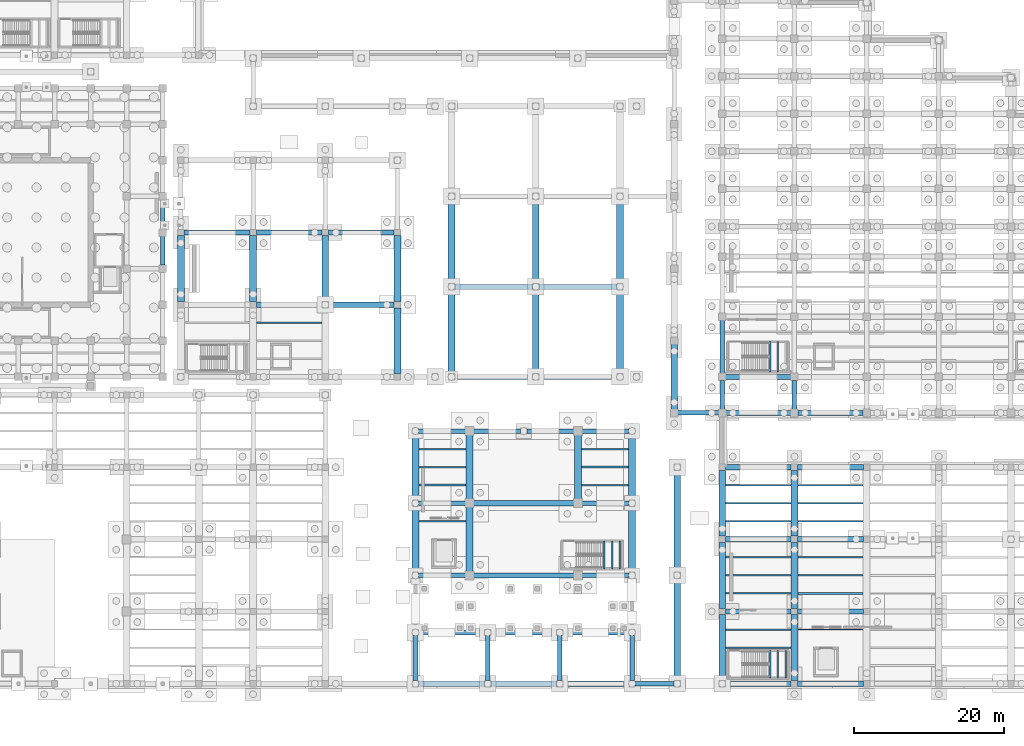
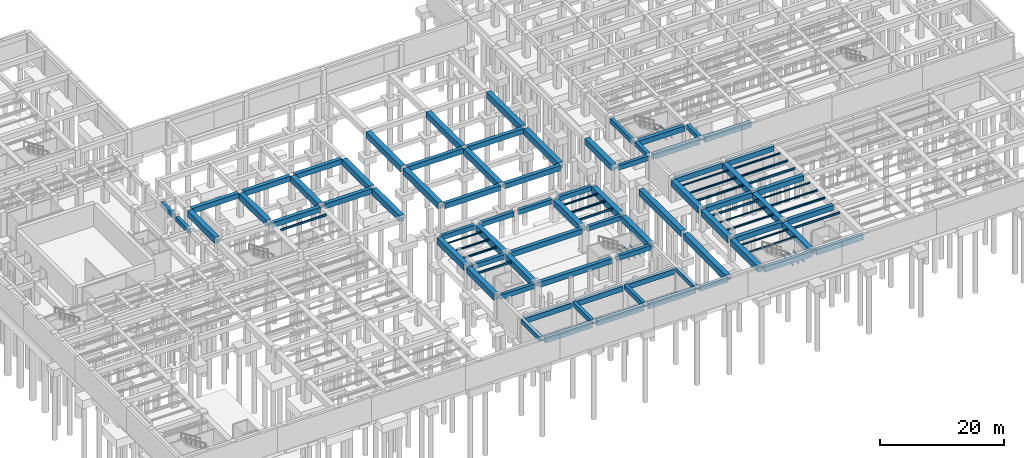
# One storey, part 26 of 56: 105 beams.
"""IFC4 building model written with IfcOpenShell, lengths in metres."""

from ifc_helpers import new_model, si_unit, direction, frame, origin, origin_2d, place, context, subcontext, project, spatial, rectangle, i_section, extrude, material, material_profile, profile_set, type_object, element, save


model = new_model("IFC4")

# Units and contexts
model_context = context("Model", 3, precision=1e-05, world=origin(), true_north=direction((0.0, 1.0)))
body_context = subcontext(model_context, "Body", "Model", "MODEL_VIEW")
ifc_project = project(units=[si_unit("LENGTHUNIT", "METRE"), si_unit("AREAUNIT", "SQUARE_METRE"), si_unit("VOLUMEUNIT", "CUBIC_METRE"), si_unit("PLANEANGLEUNIT", "RADIAN"), si_unit("MASSUNIT", "GRAM", prefix="KILO")], contexts=[model_context])

# Site, building, storey
site_placement = place(None, origin())
site = spatial("IfcSite", under=ifc_project, at=site_placement, CompositionType="ELEMENT")
building_placement = place(site_placement, origin())
building = spatial("IfcBuilding", under=site, at=building_placement, Name="Mavantir Sound Aquarium", CompositionType="ELEMENT")
storey_placement = place(building_placement, frame((0.0, 0.0, -9.60009765625)))
storey = spatial("IfcBuildingStorey", under=building, at=storey_placement, Name="B2", CompositionType="ELEMENT", Elevation=-9.60009765625)

# Beams
ifc_material_1 = material(Name="Concrete C40/50", Category="concrete")
ifc_material_profile_1 = material_profile(ifc_material_1, rectangle(XDim=0.60009765625, YDim=0.89990234375, at=origin_2d()), Name="RC 600X900")
ifc_profile_set_1 = profile_set([ifc_material_profile_1], Name="Concrete C40/50")
beam_type_1 = type_object("IfcBeamType", Name="BM-RC600X900-E", PredefinedType="BEAM", material=ifc_profile_set_1)
for number, where, z_axis, x_axis, name in (
    (1, (33.60009765625, 55.64990234375, 3.946044921875), (0.0, 1.0, 0.0), (-1.0, 0.0, 0.0), "B2 primary girder RCB-09 97"),
    (2, (33.60009765625, 60.449951171875, 3.946044921875), (0.0, 1.0, 0.0), (-1.0, 0.0, 0.0), "B2 primary girder RCB-09 98"),
):
    element("IfcBeam", number, at=place(storey_placement, frame(where, z_axis=z_axis, x_axis=x_axis)), inside=storey, type_object=beam_type_1, Name=name, PredefinedType="BEAM", context=body_context, shape_type="SweptSolid", body=[
        extrude(rectangle(XDim=0.60009765625, YDim=0.89990234375, at=origin_2d()), origin(), (0.0, 0.0, 1.0), 3.900146484375),
    ])
beam_1_placement = place(storey_placement, frame((102.050048828125, 36.0, 4.34619140625), z_axis=(1.0, 0.0, 0.0), x_axis=(0.0, 1.0, 0.0)))
element("IfcBeam", 3, at=beam_1_placement, inside=storey, type_object=beam_type_1, Name="B2 primary beam RCB-09 177", PredefinedType="BEAM", context=body_context, shape_type="SweptSolid", body=[
    extrude(rectangle(XDim=0.60009765625, YDim=0.89990234375, at=origin_2d()), origin(), (0.0, 0.0, 1.0), 5.5),
])
for number, where, z_axis, x_axis, name in (
    (4, (67.625, 14.39990234375, 4.046142578125), (1.0, 0.0, 0.0), (0.0, 1.0, 0.0), "B2 primary beam RCB-09 403"),
    (5, (89.25, 14.39990234375, 4.046142578125), (1.0, 0.0, 0.0), (0.0, 1.0, 0.0), "B2 primary beam RCB-09 405"),
    (6, (67.625, 33.60009765625, 4.046142578125), (1.0, 0.0, 0.0), (0.0, 1.0, 0.0), "B2 primary beam RCB-09 409"),
    (7, (74.85009765625, 33.60009765625, 4.046142578125), (1.0, 0.0, 0.0), (0.0, 1.0, 0.0), "B2 primary beam RCB-09 410"),
):
    element("IfcBeam", number, at=place(storey_placement, frame(where, z_axis=z_axis, x_axis=x_axis)), inside=storey, type_object=beam_type_1, Name=name, PredefinedType="BEAM", context=body_context, shape_type="SweptSolid", body=[
        extrude(rectangle(XDim=0.60009765625, YDim=0.89990234375, at=origin_2d()), origin(), (0.0, 0.0, 1.0), 6.324951171875),
    ])
beam_2_placement = place(storey_placement, frame((82.02490234375, 33.60009765625, 4.046142578125), z_axis=(1.0, 0.0, 0.0), x_axis=(0.0, 1.0, 0.0)))
element("IfcBeam", 8, at=beam_2_placement, inside=storey, type_object=beam_type_1, Name="B2 primary beam RCB-09 411", PredefinedType="BEAM", context=body_context, shape_type="SweptSolid", body=[
    extrude(rectangle(XDim=0.60009765625, YDim=0.89990234375, at=origin_2d()), origin(), (0.0, 0.0, 1.0), 6.3251953125),
])
beam_3_placement = place(storey_placement, frame((89.25, 33.60009765625, 4.046142578125), z_axis=(1.0, 0.0, 0.0), x_axis=(0.0, 1.0, 0.0)))
element("IfcBeam", 9, at=beam_3_placement, inside=storey, type_object=beam_type_1, Name="B2 primary beam RCB-09 412", PredefinedType="BEAM", context=body_context, shape_type="SweptSolid", body=[
    extrude(rectangle(XDim=0.60009765625, YDim=0.89990234375, at=origin_2d()), origin(), (0.0, 0.0, 1.0), 6.324951171875),
])
ifc_material_profile_2 = material_profile(ifc_material_1, rectangle(XDim=0.60009765625, YDim=0.89990234375, at=origin_2d()), Name="RC 600X900")
ifc_profile_set_2 = profile_set([ifc_material_profile_2], Name="Concrete C40/50")
beam_type_2 = type_object("IfcBeamType", Name="BM-RC600X900-I", PredefinedType="BEAM", material=ifc_profile_set_2)
beam_4_placement = place(storey_placement, frame((96.425048828125, 0.0, 4.34619140625), z_axis=(1.0, 0.0, 0.0), x_axis=(0.0, 1.0, 0.0)))
element("IfcBeam", 10, at=beam_4_placement, inside=storey, type_object=beam_type_2, Name="B2 primary beam RCB-09 4", PredefinedType="BEAM", context=body_context, shape_type="SweptSolid", body=[
    extrude(rectangle(XDim=0.60009765625, YDim=0.89990234375, at=origin_2d()), origin(), (0.0, 0.0, 1.0), 5.14990234375),
])
for number, where, z_axis, x_axis, name in (
    (11, (67.199951171875, 0.425048828125, 4.34619140625), (0.0, 1.0, 0.0), (-1.0, 0.0, 0.0), "B2 primary girder RCB-09 25"),
    (12, (76.800048828125, 0.425048828125, 4.34619140625), (0.0, 1.0, 0.0), (-1.0, 0.0, 0.0), "B2 primary girder RCB-09 29"),
    (13, (86.39990234375, 0.425048828125, 4.34619140625), (0.0, 1.0, 0.0), (-1.0, 0.0, 0.0), "B2 primary girder RCB-09 33"),
    (14, (96.0, 0.425048828125, 4.34619140625), (0.0, 1.0, 0.0), (-1.0, 0.0, 0.0), "B2 primary girder RCB-09 37"),
):
    element("IfcBeam", number, at=place(storey_placement, frame(where, z_axis=z_axis, x_axis=x_axis)), inside=storey, type_object=beam_type_2, Name=name, PredefinedType="BEAM", context=body_context, shape_type="SweptSolid", body=[
        extrude(rectangle(XDim=0.60009765625, YDim=0.89990234375, at=origin_2d()), origin(), (0.0, 0.0, 1.0), 5.949951171875),
    ])
beam_5_placement = place(storey_placement, frame((108.0, 36.449951171875, 4.34619140625), z_axis=(0.0, 1.0, 0.0), x_axis=(-1.0, 0.0, 0.0)))
element("IfcBeam", 15, at=beam_5_placement, inside=storey, type_object=beam_type_2, Name="B2 primary girder RCB-09 244", PredefinedType="BEAM", context=body_context, shape_type="SweptSolid", body=[
    extrude(rectangle(XDim=0.60009765625, YDim=0.89990234375, at=origin_2d()), origin(), (0.0, 0.0, 1.0), 3.900146484375),
])
beam_6_placement = place(storey_placement, frame((108.0, 41.25, 4.046142578125), z_axis=(0.0, 1.0, 0.0), x_axis=(-1.0, 0.0, 0.0)))
element("IfcBeam", 16, at=beam_6_placement, inside=storey, type_object=beam_type_2, Name="B2 primary girder RCB-09 245", PredefinedType="BEAM", context=body_context, shape_type="SweptSolid", body=[
    extrude(rectangle(XDim=0.60009765625, YDim=0.89990234375, at=origin_2d()), origin(), (0.0, 0.0, 1.0), 7.10009765625),
])
beam_7_placement = place(storey_placement, frame((117.60009765625, 36.449951171875, 4.34619140625), z_axis=(0.0, 1.0, 0.0), x_axis=(-1.0, 0.0, 0.0)))
element("IfcBeam", 17, at=beam_7_placement, inside=storey, type_object=beam_type_2, Name="B2 primary girder RCB-09 255", PredefinedType="BEAM", context=body_context, shape_type="SweptSolid", body=[
    extrude(rectangle(XDim=0.60009765625, YDim=0.89990234375, at=origin_2d()), origin(), (0.0, 0.0, 1.0), 3.900146484375),
])
for number, where, z_axis, x_axis, name in (
    (18, (67.625, 24.0, 4.046142578125), (1.0, 0.0, 0.0), (0.0, 1.0, 0.0), "B2 primary beam RCB-09 406"),
    (19, (89.25, 24.0, 4.046142578125), (1.0, 0.0, 0.0), (0.0, 1.0, 0.0), "B2 primary beam RCB-09 408"),
):
    element("IfcBeam", number, at=place(storey_placement, frame(where, z_axis=z_axis, x_axis=x_axis)), inside=storey, type_object=beam_type_2, Name=name, PredefinedType="BEAM", context=body_context, shape_type="SweptSolid", body=[
        extrude(rectangle(XDim=0.60009765625, YDim=0.89990234375, at=origin_2d()), origin(), (0.0, 0.0, 1.0), 6.324951171875),
    ])
ifc_material_profile_3 = material_profile(ifc_material_1, rectangle(XDim=0.699951171875, YDim=1.0, at=origin_2d()), Name="RC 700X1000")
ifc_profile_set_3 = profile_set([ifc_material_profile_3], Name="Concrete C40/50")
beam_type_3 = type_object("IfcBeamType", Name="BM-RC700X1000-E", PredefinedType="BEAM", material=ifc_profile_set_3)
for number, where, z_axis, x_axis, name in (
    (20, (108.449951171875, 36.0, 4.296142578125), (1.0, 0.0, 0.0), (0.0, 1.0, 0.0), "B2 primary beam RCB-10 178"),
    (21, (118.050048828125, 36.0, 4.296142578125), (1.0, 0.0, 0.0), (0.0, 1.0, 0.0), "B2 primary beam RCB-10 179"),
):
    element("IfcBeam", number, at=place(storey_placement, frame(where, z_axis=z_axis, x_axis=x_axis)), inside=storey, type_object=beam_type_3, Name=name, PredefinedType="BEAM", context=body_context, shape_type="SweptSolid", body=[
        extrude(rectangle(XDim=0.699951171875, YDim=1.0, at=origin_2d()), origin(), (0.0, 0.0, 1.0), 8.699951171875),
    ])
for number, where, z_axis, x_axis, name in (
    (22, (108.425048828125, 0.0, 3.946044921875), (1.0, 0.0, 0.0), (0.0, 1.0, 0.0), "B2 primary beam RCB-10 351"),
    (23, (118.02490234375, 0.0, 3.946044921875), (1.0, 0.0, 0.0), (0.0, 1.0, 0.0), "B2 primary beam RCB-10 352"),
    (24, (108.425048828125, 28.800048828125, 3.946044921875), (1.0, 0.0, 0.0), (0.0, 1.0, 0.0), "B2 primary beam RCB-10 372"),
    (25, (118.02490234375, 28.800048828125, 3.946044921875), (1.0, 0.0, 0.0), (0.0, 1.0, 0.0), "B2 primary beam RCB-10 373"),
):
    element("IfcBeam", number, at=place(storey_placement, frame(where, z_axis=z_axis, x_axis=x_axis)), inside=storey, type_object=beam_type_3, Name=name, PredefinedType="BEAM", context=body_context, shape_type="SweptSolid", body=[
        extrude(rectangle(XDim=0.699951171875, YDim=1.0, at=origin_2d()), origin(), (0.0, 0.0, 1.0), 8.75),
    ])
beam_8_placement = place(storey_placement, frame((74.85009765625, 14.39990234375, 3.99609375), z_axis=(1.0, 0.0, 0.0), x_axis=(0.0, 1.0, 0.0)))
element("IfcBeam", 26, at=beam_8_placement, inside=storey, type_object=beam_type_3, Name="B2 primary beam RCB-10 404", PredefinedType="BEAM", context=body_context, shape_type="SweptSolid", body=[
    extrude(rectangle(XDim=0.699951171875, YDim=1.0, at=origin_2d()), origin(), (0.0, 0.0, 1.0), 13.5),
])
ifc_material_profile_4 = material_profile(ifc_material_1, rectangle(XDim=0.699951171875, YDim=1.0, at=origin_2d()), Name="RC 700X1000")
ifc_profile_set_4 = profile_set([ifc_material_profile_4], Name="Concrete C40/50")
beam_type_4 = type_object("IfcBeamType", Name="BM-RC700X1000-I", PredefinedType="BEAM", material=ifc_profile_set_4)
for number, where, z_axis, x_axis, name in (
    (27, (67.625, 0.0, 4.296142578125), (1.0, 0.0, 0.0), (0.0, 1.0, 0.0), "B2 primary beam RCB-10 1"),
    (28, (77.22509765625, 0.0, 4.296142578125), (1.0, 0.0, 0.0), (0.0, 1.0, 0.0), "B2 primary beam RCB-10 2"),
    (29, (86.824951171875, 0.0, 4.296142578125), (1.0, 0.0, 0.0), (0.0, 1.0, 0.0), "B2 primary beam RCB-10 3"),
    (30, (67.625, 6.800048828125, 3.99609375), (1.0, 0.0, 0.0), (0.0, 1.0, 0.0), "B2 primary beam RCB-10 5"),
    (31, (77.22509765625, 6.800048828125, 3.99609375), (1.0, 0.0, 0.0), (0.0, 1.0, 0.0), "B2 primary beam RCB-10 6"),
    (32, (86.824951171875, 6.800048828125, 3.99609375), (1.0, 0.0, 0.0), (0.0, 1.0, 0.0), "B2 primary beam RCB-10 7"),
):
    element("IfcBeam", number, at=place(storey_placement, frame(where, z_axis=z_axis, x_axis=x_axis)), inside=storey, type_object=beam_type_4, Name=name, PredefinedType="BEAM", context=body_context, shape_type="SweptSolid", body=[
        extrude(rectangle(XDim=0.699951171875, YDim=1.0, at=origin_2d()), origin(), (0.0, 0.0, 1.0), 8.75),
    ])
beam_9_placement = place(storey_placement, frame((72.425048828125, 40.800048828125, 4.296142578125), z_axis=(1.0, 0.0, 0.0), x_axis=(0.0, 1.0, 0.0)))
element("IfcBeam", 33, at=beam_9_placement, inside=storey, type_object=beam_type_4, Name="B2 primary beam RCB-10 9", PredefinedType="BEAM", context=body_context, shape_type="SweptSolid", body=[
    extrude(rectangle(XDim=0.699951171875, YDim=1.0, at=origin_2d()), origin(), (0.0, 0.0, 1.0), 10.349853515625),
])
beam_10_placement = place(storey_placement, frame((83.625, 40.800048828125, 4.296142578125), z_axis=(1.0, 0.0, 0.0), x_axis=(0.0, 1.0, 0.0)))
element("IfcBeam", 34, at=beam_10_placement, inside=storey, type_object=beam_type_4, Name="B2 primary beam RCB-10 10", PredefinedType="BEAM", context=body_context, shape_type="SweptSolid", body=[
    extrude(rectangle(XDim=0.699951171875, YDim=1.0, at=origin_2d()), origin(), (0.0, 0.0, 1.0), 10.35009765625),
])
beam_11_placement = place(storey_placement, frame((72.425048828125, 52.800048828125, 4.296142578125), z_axis=(1.0, 0.0, 0.0), x_axis=(0.0, 1.0, 0.0)))
element("IfcBeam", 35, at=beam_11_placement, inside=storey, type_object=beam_type_4, Name="B2 primary beam RCB-10 11", PredefinedType="BEAM", context=body_context, shape_type="SweptSolid", body=[
    extrude(rectangle(XDim=0.699951171875, YDim=1.0, at=origin_2d()), origin(), (0.0, 0.0, 1.0), 10.349853515625),
])
beam_12_placement = place(storey_placement, frame((83.625, 52.800048828125, 4.296142578125), z_axis=(1.0, 0.0, 0.0), x_axis=(0.0, 1.0, 0.0)))
element("IfcBeam", 36, at=beam_12_placement, inside=storey, type_object=beam_type_4, Name="B2 primary beam RCB-10 12", PredefinedType="BEAM", context=body_context, shape_type="SweptSolid", body=[
    extrude(rectangle(XDim=0.699951171875, YDim=1.0, at=origin_2d()), origin(), (0.0, 0.0, 1.0), 10.35009765625),
])
for number, where, z_axis, x_axis, name in (
    (37, (46.02490234375, 50.39990234375, 3.99609375), (1.0, 0.0, 0.0), (0.0, 1.0, 0.0), "B2 primary beam RCB-10 106"),
    (38, (55.625, 50.39990234375, 4.296142578125), (1.0, 0.0, 0.0), (0.0, 1.0, 0.0), "B2 primary beam RCB-10 107"),
    (39, (36.425048828125, 60.0, 4.296142578125), (1.0, 0.0, 0.0), (0.0, 1.0, 0.0), "B2 primary beam RCB-10 108"),
    (40, (46.02490234375, 60.0, 4.296142578125), (1.0, 0.0, 0.0), (0.0, 1.0, 0.0), "B2 primary beam RCB-10 109"),
    (41, (55.625, 60.0, 4.296142578125), (1.0, 0.0, 0.0), (0.0, 1.0, 0.0), "B2 primary beam RCB-10 110"),
):
    element("IfcBeam", number, at=place(storey_placement, frame(where, z_axis=z_axis, x_axis=x_axis)), inside=storey, type_object=beam_type_4, Name=name, PredefinedType="BEAM", context=body_context, shape_type="SweptSolid", body=[
        extrude(rectangle(XDim=0.699951171875, YDim=1.0, at=origin_2d()), origin(), (0.0, 0.0, 1.0), 8.75),
    ])
beam_13_placement = place(storey_placement, frame((108.449951171875, 40.800048828125, 3.99609375), z_axis=(1.0, 0.0, 0.0), x_axis=(0.0, 1.0, 0.0)))
element("IfcBeam", 42, at=beam_13_placement, inside=storey, type_object=beam_type_4, Name="B2 primary beam RCB-10 185", PredefinedType="BEAM", context=body_context, shape_type="SweptSolid", body=[
    extrude(rectangle(XDim=0.699951171875, YDim=1.0, at=origin_2d()), origin(), (0.0, 0.0, 1.0), 8.699951171875),
])
for number, where, z_axis, x_axis, name in (
    (43, (108.425048828125, 9.60009765625, 3.946044921875), (1.0, 0.0, 0.0), (0.0, 1.0, 0.0), "B2 primary beam RCB-10 358"),
    (44, (118.02490234375, 9.60009765625, 3.946044921875), (1.0, 0.0, 0.0), (0.0, 1.0, 0.0), "B2 primary beam RCB-10 359"),
    (45, (108.425048828125, 19.199951171875, 3.946044921875), (1.0, 0.0, 0.0), (0.0, 1.0, 0.0), "B2 primary beam RCB-10 365"),
    (46, (118.02490234375, 19.199951171875, 3.946044921875), (1.0, 0.0, 0.0), (0.0, 1.0, 0.0), "B2 primary beam RCB-10 366"),
):
    element("IfcBeam", number, at=place(storey_placement, frame(where, z_axis=z_axis, x_axis=x_axis)), inside=storey, type_object=beam_type_4, Name=name, PredefinedType="BEAM", context=body_context, shape_type="SweptSolid", body=[
        extrude(rectangle(XDim=0.699951171875, YDim=1.0, at=origin_2d()), origin(), (0.0, 0.0, 1.0), 8.75),
    ])
beam_14_placement = place(storey_placement, frame((74.85009765625, 24.0, 3.99609375), z_axis=(1.0, 0.0, 0.0), x_axis=(0.0, 1.0, 0.0)))
element("IfcBeam", 47, at=beam_14_placement, inside=storey, type_object=beam_type_4, Name="B2 primary beam RCB-10 407", PredefinedType="BEAM", context=body_context, shape_type="SweptSolid", body=[
    extrude(rectangle(XDim=0.699951171875, YDim=1.0, at=origin_2d()), origin(), (0.0, 0.0, 1.0), 13.5),
])
ifc_material_profile_5 = material_profile(ifc_material_1, rectangle(XDim=0.89990234375, YDim=1.199951171875, at=origin_2d()), Name="RC 900X1200")
ifc_profile_set_5 = profile_set([ifc_material_profile_5], Name="Concrete C40/50")
beam_type_5 = type_object("IfcBeamType", Name="BM-RC900X1200-E", PredefinedType="BEAM", material=ifc_profile_set_5)
for number, where, z_axis, x_axis, name in (
    (48, (36.0, 50.824951171875, 4.196044921875), (0.0, 1.0, 0.0), (-1.0, 0.0, 0.0), "B2 primary girder RCB-12 115"),
    (49, (64.800048828125, 41.22509765625, 4.196044921875), (0.0, 1.0, 0.0), (-1.0, 0.0, 0.0), "B2 primary girder RCB-12 123"),
    (50, (64.800048828125, 50.824951171875, 4.196044921875), (0.0, 1.0, 0.0), (-1.0, 0.0, 0.0), "B2 primary girder RCB-12 124"),
):
    element("IfcBeam", number, at=place(storey_placement, frame(where, z_axis=z_axis, x_axis=x_axis)), inside=storey, type_object=beam_type_5, Name=name, PredefinedType="BEAM", context=body_context, shape_type="SweptSolid", body=[
        extrude(rectangle(XDim=0.89990234375, YDim=1.199951171875, at=origin_2d()), origin(), (0.0, 0.0, 1.0), 8.75),
    ])
beam_15_placement = place(storey_placement, frame((101.60009765625, 36.449951171875, 4.196044921875), z_axis=(0.0, 1.0, 0.0), x_axis=(-1.0, 0.0, 0.0)))
element("IfcBeam", 51, at=beam_15_placement, inside=storey, type_object=beam_type_5, Name="B2 primary girder RCB-12 237", PredefinedType="BEAM", context=body_context, shape_type="SweptSolid", body=[
    extrude(rectangle(XDim=0.89990234375, YDim=1.199951171875, at=origin_2d()), origin(), (0.0, 0.0, 1.0), 8.699951171875),
])
for number, where, z_axis, x_axis, name in (
    (52, (108.0, 0.425048828125, 3.84619140625), (0.0, 1.0, 0.0), (-1.0, 0.0, 0.0), "B2 primary girder RCB-12 379"),
    (53, (108.0, 10.02490234375, 3.84619140625), (0.0, 1.0, 0.0), (-1.0, 0.0, 0.0), "B2 primary girder RCB-12 380"),
    (54, (108.0, 19.625, 3.84619140625), (0.0, 1.0, 0.0), (-1.0, 0.0, 0.0), "B2 primary girder RCB-12 381"),
    (55, (67.199951171875, 14.824951171875, 3.89599609375), (0.0, 1.0, 0.0), (-1.0, 0.0, 0.0), "B2 primary girder RCB-12 413"),
    (56, (67.199951171875, 24.425048828125, 3.89599609375), (0.0, 1.0, 0.0), (-1.0, 0.0, 0.0), "B2 primary girder RCB-12 414"),
    (57, (96.0, 14.824951171875, 3.89599609375), (0.0, 1.0, 0.0), (-1.0, 0.0, 0.0), "B2 primary girder RCB-12 418"),
    (58, (96.0, 24.425048828125, 3.89599609375), (0.0, 1.0, 0.0), (-1.0, 0.0, 0.0), "B2 primary girder RCB-12 419"),
):
    element("IfcBeam", number, at=place(storey_placement, frame(where, z_axis=z_axis, x_axis=x_axis)), inside=storey, type_object=beam_type_5, Name=name, PredefinedType="BEAM", context=body_context, shape_type="SweptSolid", body=[
        extrude(rectangle(XDim=0.89990234375, YDim=1.199951171875, at=origin_2d()), origin(), (0.0, 0.0, 1.0), 8.75),
    ])
ifc_material_profile_6 = material_profile(ifc_material_1, rectangle(XDim=0.89990234375, YDim=1.199951171875, at=origin_2d()), Name="RC 900X1200")
ifc_profile_set_6 = profile_set([ifc_material_profile_6], Name="Concrete C40/50")
beam_type_6 = type_object("IfcBeamType", Name="BM-RC900X1200-I", PredefinedType="BEAM", material=ifc_profile_set_6)
for number, where, z_axis, x_axis, name in (
    (59, (72.0, 41.22509765625, 4.196044921875), (0.0, 1.0, 0.0), (-1.0, 0.0, 0.0), "B2 primary girder RCB-12 26"),
    (60, (72.0, 53.22509765625, 4.196044921875), (0.0, 1.0, 0.0), (-1.0, 0.0, 0.0), "B2 primary girder RCB-12 27"),
    (61, (83.199951171875, 41.22509765625, 4.196044921875), (0.0, 1.0, 0.0), (-1.0, 0.0, 0.0), "B2 primary girder RCB-12 30"),
    (62, (83.199951171875, 53.22509765625, 4.196044921875), (0.0, 1.0, 0.0), (-1.0, 0.0, 0.0), "B2 primary girder RCB-12 31"),
    (63, (94.39990234375, 41.22509765625, 4.196044921875), (0.0, 1.0, 0.0), (-1.0, 0.0, 0.0), "B2 primary girder RCB-12 34"),
    (64, (94.39990234375, 53.22509765625, 4.196044921875), (0.0, 1.0, 0.0), (-1.0, 0.0, 0.0), "B2 primary girder RCB-12 35"),
):
    element("IfcBeam", number, at=place(storey_placement, frame(where, z_axis=z_axis, x_axis=x_axis)), inside=storey, type_object=beam_type_6, Name=name, PredefinedType="BEAM", context=body_context, shape_type="SweptSolid", body=[
        extrude(rectangle(XDim=0.89990234375, YDim=1.199951171875, at=origin_2d()), origin(), (0.0, 0.0, 1.0), 11.14990234375),
    ])
for number, where, z_axis, x_axis, name in (
    (65, (102.0, 0.425048828125, 4.196044921875), (0.0, 1.0, 0.0), (-1.0, 0.0, 0.0), "B2 primary girder RCB-12 38"),
    (66, (102.0, 14.824951171875, 4.196044921875), (0.0, 1.0, 0.0), (-1.0, 0.0, 0.0), "B2 primary girder RCB-12 39"),
):
    element("IfcBeam", number, at=place(storey_placement, frame(where, z_axis=z_axis, x_axis=x_axis)), inside=storey, type_object=beam_type_6, Name=name, PredefinedType="BEAM", context=body_context, shape_type="SweptSolid", body=[
        extrude(rectangle(XDim=0.89990234375, YDim=1.199951171875, at=origin_2d()), origin(), (0.0, 0.0, 1.0), 13.550048828125),
    ])
for number, where, z_axis, x_axis, name in (
    (67, (45.60009765625, 50.824951171875, 4.196044921875), (0.0, 1.0, 0.0), (-1.0, 0.0, 0.0), "B2 primary girder RCB-12 118"),
    (68, (55.199951171875, 50.824951171875, 4.196044921875), (0.0, 1.0, 0.0), (-1.0, 0.0, 0.0), "B2 primary girder RCB-12 121"),
    (69, (117.60009765625, 0.425048828125, 3.84619140625), (0.0, 1.0, 0.0), (-1.0, 0.0, 0.0), "B2 primary girder RCB-12 382"),
    (70, (117.60009765625, 10.02490234375, 3.84619140625), (0.0, 1.0, 0.0), (-1.0, 0.0, 0.0), "B2 primary girder RCB-12 383"),
    (71, (117.60009765625, 19.625, 3.84619140625), (0.0, 1.0, 0.0), (-1.0, 0.0, 0.0), "B2 primary girder RCB-12 384"),
):
    element("IfcBeam", number, at=place(storey_placement, frame(where, z_axis=z_axis, x_axis=x_axis)), inside=storey, type_object=beam_type_6, Name=name, PredefinedType="BEAM", context=body_context, shape_type="SweptSolid", body=[
        extrude(rectangle(XDim=0.89990234375, YDim=1.199951171875, at=origin_2d()), origin(), (0.0, 0.0, 1.0), 8.75),
    ])
for number, where, z_axis, x_axis, name in (
    (72, (74.39990234375, 14.85009765625, 3.89599609375), (0.0, 1.0, 0.0), (-1.0, 0.0, 0.0), "B2 primary girder RCB-12 415"),
    (73, (74.39990234375, 24.449951171875, 3.89599609375), (0.0, 1.0, 0.0), (-1.0, 0.0, 0.0), "B2 primary girder RCB-12 416"),
    (74, (88.800048828125, 24.449951171875, 3.89599609375), (0.0, 1.0, 0.0), (-1.0, 0.0, 0.0), "B2 primary girder RCB-12 417"),
):
    element("IfcBeam", number, at=place(storey_placement, frame(where, z_axis=z_axis, x_axis=x_axis)), inside=storey, type_object=beam_type_6, Name=name, PredefinedType="BEAM", context=body_context, shape_type="SweptSolid", body=[
        extrude(rectangle(XDim=0.89990234375, YDim=1.199951171875, at=origin_2d()), origin(), (0.0, 0.0, 1.0), 8.699951171875),
    ])
ifc_material_2 = material(Name="Structural Steel ASTM A992 Gr50", Category="steel")
ifc_material_profile_7 = material_profile(ifc_material_2, i_section(OverallWidth=0.202880859375, OverallDepth=0.202880859375, WebThickness=0.007080078125, FlangeThickness=0.010986328125, FilletRadius=0.010009765625, at=origin_2d()), Name="W200X46")
ifc_profile_set_7 = profile_set([ifc_material_profile_7], Name="Structural Steel ASTM A992 Gr50")
beam_type_7 = type_object("IfcBeamType", Name="BM-W200X46-I", PredefinedType="LINTEL", material=ifc_profile_set_7)
for number, where, z_axis, x_axis, name in (
    (75, (114.35009765625, 41.47509765625, 2.095703125), (0.0, 1.0, 0.0), (-1.0, 0.0, 0.0), "Stair ST4 landing support beam 52"),
    (76, (115.389892578125, 41.47509765625, 2.095703125), (0.0, 1.0, 0.0), (-1.0, 0.0, 0.0), "Stair ST4 landing support beam 53"),
):
    element("IfcBeam", number, at=place(storey_placement, frame(where, z_axis=z_axis, x_axis=x_axis)), inside=storey, type_object=beam_type_7, Name=name, PredefinedType="LINTEL", context=body_context, shape_type="SweptSolid", body=[
        extrude(i_section(OverallWidth=0.202880859375, OverallDepth=0.202880859375, WebThickness=0.007080078125, FlangeThickness=0.010986328125, FilletRadius=0.010009765625, at=origin_2d()), origin(), (0.0, 0.0, 1.0), 4.0),
    ])
for number, where, z_axis, x_axis, name in (
    (77, (114.35009765625, 0.72509765625, 2.095703125), (0.0, 1.0, 0.0), (-1.0, 0.0, 0.0), "Stair ST6 landing support beam 124"),
    (78, (115.389892578125, 0.72509765625, 2.095703125), (0.0, 1.0, 0.0), (-1.0, 0.0, 0.0), "Stair ST6 landing support beam 125"),
    (79, (116.429931640625, 0.72509765625, 2.095703125), (0.0, 1.0, 0.0), (-1.0, 0.0, 0.0), "Stair ST6 landing support beam 126"),
):
    element("IfcBeam", number, at=place(storey_placement, frame(where, z_axis=z_axis, x_axis=x_axis)), inside=storey, type_object=beam_type_7, Name=name, PredefinedType="LINTEL", context=body_context, shape_type="SweptSolid", body=[
        extrude(i_section(OverallWidth=0.202880859375, OverallDepth=0.202880859375, WebThickness=0.007080078125, FlangeThickness=0.010986328125, FilletRadius=0.010009765625, at=origin_2d()), origin(), (0.0, 0.0, 1.0), 3.699951171875),
    ])
for number, where, z_axis, x_axis, name in (
    (80, (92.300048828125, 15.27490234375, 2.095703125), (0.0, 1.0, 0.0), (-1.0, 0.0, 0.0), "Stair ST11 landing support beam 154"),
    (81, (93.340087890625, 15.27490234375, 2.095703125), (0.0, 1.0, 0.0), (-1.0, 0.0, 0.0), "Stair ST11 landing support beam 155"),
    (82, (94.3798828125, 15.27490234375, 2.095703125), (0.0, 1.0, 0.0), (-1.0, 0.0, 0.0), "Stair ST11 landing support beam 156"),
):
    element("IfcBeam", number, at=place(storey_placement, frame(where, z_axis=z_axis, x_axis=x_axis)), inside=storey, type_object=beam_type_7, Name=name, PredefinedType="LINTEL", context=body_context, shape_type="SweptSolid", body=[
        extrude(i_section(OverallWidth=0.202880859375, OverallDepth=0.202880859375, WebThickness=0.007080078125, FlangeThickness=0.010986328125, FilletRadius=0.010009765625, at=origin_2d()), origin(), (0.0, 0.0, 1.0), 3.7001953125),
    ])
ifc_material_profile_8 = material_profile(ifc_material_2, i_section(OverallWidth=0.202880859375, OverallDepth=0.251953125, WebThickness=0.008056640625, FlangeThickness=0.013427734375, FilletRadius=0.011962890625, at=origin_2d()), Name="W250X58")
ifc_profile_set_8 = profile_set([ifc_material_profile_8], Name="Structural Steel ASTM A992 Gr50")
beam_type_8 = type_object("IfcBeamType", Name="BM-W250X58-I", PredefinedType="JOIST", material=ifc_profile_set_8)
for number, where, z_axis, x_axis, name in (
    (83, (108.449951171875, 7.199951171875, 4.320068359375), (1.0, 0.0, 0.0), (0.0, 1.0, 0.0), "B2 secondary floor joist SJ-25 112"),
    (84, (108.449951171875, 14.39990234375, 4.320068359375), (1.0, 0.0, 0.0), (0.0, 1.0, 0.0), "B2 secondary floor joist SJ-25 124"),
    (85, (118.050048828125, 16.800048828125, 4.320068359375), (1.0, 0.0, 0.0), (0.0, 1.0, 0.0), "B2 secondary floor joist SJ-25 128"),
    (86, (108.449951171875, 26.39990234375, 4.320068359375), (1.0, 0.0, 0.0), (0.0, 1.0, 0.0), "B2 secondary floor joist SJ-25 140"),
):
    element("IfcBeam", number, at=place(storey_placement, frame(where, z_axis=z_axis, x_axis=x_axis)), inside=storey, type_object=beam_type_8, Name=name, PredefinedType="JOIST", context=body_context, shape_type="SweptSolid", body=[
        extrude(i_section(OverallWidth=0.202880859375, OverallDepth=0.251953125, WebThickness=0.008056640625, FlangeThickness=0.013427734375, FilletRadius=0.011962890625, at=origin_2d()), origin(), (0.0, 0.0, 1.0), 8.699951171875),
    ])
beam_16_placement = place(storey_placement, frame((67.64990234375, 31.199951171875, 4.3701171875), z_axis=(1.0, 0.0, 0.0), x_axis=(0.0, 1.0, 0.0)))
element("IfcBeam", 87, at=beam_16_placement, inside=storey, type_object=beam_type_8, Name="B2 secondary floor joist SJ-25 156", PredefinedType="JOIST", context=body_context, shape_type="SweptSolid", body=[
    extrude(i_section(OverallWidth=0.202880859375, OverallDepth=0.251953125, WebThickness=0.008056640625, FlangeThickness=0.013427734375, FilletRadius=0.011962890625, at=origin_2d()), origin(), (0.0, 0.0, 1.0), 6.300048828125),
])
ifc_material_profile_9 = material_profile(ifc_material_2, i_section(OverallWidth=0.205078125, OverallDepth=0.31005859375, WebThickness=0.009521484375, FlangeThickness=0.016357421875, FilletRadius=0.012939453125, at=origin_2d()), Name="W310X74")
ifc_profile_set_9 = profile_set([ifc_material_profile_9], Name="Structural Steel ASTM A992 Gr50")
beam_type_9 = type_object("IfcBeamType", Name="BM-W310X74-I", PredefinedType="JOIST", material=ifc_profile_set_9)
for number, where, z_axis, x_axis, name in (
    (88, (108.449951171875, 4.800048828125, 4.291015625), (1.0, 0.0, 0.0), (0.0, 1.0, 0.0), "B2 secondary floor joist SJ-31 111"),
    (89, (108.449951171875, 12.0, 4.291015625), (1.0, 0.0, 0.0), (0.0, 1.0, 0.0), "B2 secondary floor joist SJ-31 123"),
    (90, (118.050048828125, 14.39990234375, 4.291015625), (1.0, 0.0, 0.0), (0.0, 1.0, 0.0), "B2 secondary floor joist SJ-31 127"),
    (91, (108.449951171875, 24.0, 4.291015625), (1.0, 0.0, 0.0), (0.0, 1.0, 0.0), "B2 secondary floor joist SJ-31 139"),
    (92, (118.050048828125, 26.39990234375, 4.291015625), (1.0, 0.0, 0.0), (0.0, 1.0, 0.0), "B2 secondary floor joist SJ-31 143"),
):
    element("IfcBeam", number, at=place(storey_placement, frame(where, z_axis=z_axis, x_axis=x_axis)), inside=storey, type_object=beam_type_9, Name=name, PredefinedType="JOIST", context=body_context, shape_type="SweptSolid", body=[
        extrude(i_section(OverallWidth=0.205078125, OverallDepth=0.31005859375, WebThickness=0.009521484375, FlangeThickness=0.016357421875, FilletRadius=0.012939453125, at=origin_2d()), origin(), (0.0, 0.0, 1.0), 8.699951171875),
    ])
for number, where, z_axis, x_axis, name in (
    (93, (67.64990234375, 28.800048828125, 4.341064453125), (1.0, 0.0, 0.0), (0.0, 1.0, 0.0), "B2 secondary floor joist SJ-31 155"),
    (94, (89.25, 31.199951171875, 4.341064453125), (1.0, 0.0, 0.0), (0.0, 1.0, 0.0), "B2 secondary floor joist SJ-31 159"),
):
    element("IfcBeam", number, at=place(storey_placement, frame(where, z_axis=z_axis, x_axis=x_axis)), inside=storey, type_object=beam_type_9, Name=name, PredefinedType="JOIST", context=body_context, shape_type="SweptSolid", body=[
        extrude(i_section(OverallWidth=0.205078125, OverallDepth=0.31005859375, WebThickness=0.009521484375, FlangeThickness=0.016357421875, FilletRadius=0.012939453125, at=origin_2d()), origin(), (0.0, 0.0, 1.0), 6.300048828125),
    ])
ifc_material_profile_10 = material_profile(ifc_material_2, i_section(OverallWidth=0.25390625, OverallDepth=0.35302734375, WebThickness=0.009521484375, FlangeThickness=0.016357421875, FilletRadius=0.014892578125, at=origin_2d()), Name="W360X91")
ifc_profile_set_10 = profile_set([ifc_material_profile_10], Name="Structural Steel ASTM A992 Gr50")
beam_type_10 = type_object("IfcBeamType", Name="BM-W360X91-I", PredefinedType="JOIST", material=ifc_profile_set_10)
for number, where, z_axis, x_axis, name in (
    (95, (118.050048828125, 12.0, 4.26953125), (1.0, 0.0, 0.0), (0.0, 1.0, 0.0), "B2 secondary floor joist SJ-36 126"),
    (96, (108.449951171875, 21.60009765625, 4.26953125), (1.0, 0.0, 0.0), (0.0, 1.0, 0.0), "B2 secondary floor joist SJ-36 138"),
    (97, (118.050048828125, 24.0, 4.26953125), (1.0, 0.0, 0.0), (0.0, 1.0, 0.0), "B2 secondary floor joist SJ-36 142"),
):
    element("IfcBeam", number, at=place(storey_placement, frame(where, z_axis=z_axis, x_axis=x_axis)), inside=storey, type_object=beam_type_10, Name=name, PredefinedType="JOIST", context=body_context, shape_type="SweptSolid", body=[
        extrude(i_section(OverallWidth=0.25390625, OverallDepth=0.35302734375, WebThickness=0.009521484375, FlangeThickness=0.016357421875, FilletRadius=0.014892578125, at=origin_2d()), origin(), (0.0, 0.0, 1.0), 8.699951171875),
    ])
for number, where, z_axis, x_axis, name in (
    (98, (67.64990234375, 26.39990234375, 4.319580078125), (1.0, 0.0, 0.0), (0.0, 1.0, 0.0), "B2 secondary floor joist SJ-36 154"),
    (99, (89.25, 28.800048828125, 4.319580078125), (1.0, 0.0, 0.0), (0.0, 1.0, 0.0), "B2 secondary floor joist SJ-36 158"),
):
    element("IfcBeam", number, at=place(storey_placement, frame(where, z_axis=z_axis, x_axis=x_axis)), inside=storey, type_object=beam_type_10, Name=name, PredefinedType="JOIST", context=body_context, shape_type="SweptSolid", body=[
        extrude(i_section(OverallWidth=0.25390625, OverallDepth=0.35302734375, WebThickness=0.009521484375, FlangeThickness=0.016357421875, FilletRadius=0.014892578125, at=origin_2d()), origin(), (0.0, 0.0, 1.0), 6.300048828125),
    ])
ifc_material_profile_11 = material_profile(ifc_material_2, i_section(OverallWidth=0.180908203125, OverallDepth=0.4169921875, WebThickness=0.010986328125, FlangeThickness=0.018310546875, FilletRadius=0.014892578125, at=origin_2d()), Name="W410X85")
ifc_profile_set_11 = profile_set([ifc_material_profile_11], Name="Structural Steel ASTM A992 Gr50")
beam_type_11 = type_object("IfcBeamType", Name="BM-W410X85-I", PredefinedType="JOIST", material=ifc_profile_set_11)
for number, where, z_axis, x_axis, name in (
    (100, (46.050048828125, 48.0, 4.28759765625), (1.0, 0.0, 0.0), (0.0, 1.0, 0.0), "B2 secondary floor joist SJ-41 25"),
    (101, (118.050048828125, 7.199951171875, 4.237548828125), (1.0, 0.0, 0.0), (0.0, 1.0, 0.0), "B2 secondary floor joist SJ-41 113"),
    (102, (108.449951171875, 16.800048828125, 4.237548828125), (1.0, 0.0, 0.0), (0.0, 1.0, 0.0), "B2 secondary floor joist SJ-41 125"),
    (103, (118.050048828125, 21.60009765625, 4.237548828125), (1.0, 0.0, 0.0), (0.0, 1.0, 0.0), "B2 secondary floor joist SJ-41 141"),
):
    element("IfcBeam", number, at=place(storey_placement, frame(where, z_axis=z_axis, x_axis=x_axis)), inside=storey, type_object=beam_type_11, Name=name, PredefinedType="JOIST", context=body_context, shape_type="SweptSolid", body=[
        extrude(i_section(OverallWidth=0.180908203125, OverallDepth=0.4169921875, WebThickness=0.010986328125, FlangeThickness=0.018310546875, FilletRadius=0.014892578125, at=origin_2d()), origin(), (0.0, 0.0, 1.0), 8.699951171875),
    ])
for number, where, z_axis, x_axis, name in (
    (104, (67.64990234375, 21.60009765625, 4.28759765625), (1.0, 0.0, 0.0), (0.0, 1.0, 0.0), "B2 secondary floor joist SJ-41 153"),
    (105, (89.25, 26.39990234375, 4.28759765625), (1.0, 0.0, 0.0), (0.0, 1.0, 0.0), "B2 secondary floor joist SJ-41 157"),
):
    element("IfcBeam", number, at=place(storey_placement, frame(where, z_axis=z_axis, x_axis=x_axis)), inside=storey, type_object=beam_type_11, Name=name, PredefinedType="JOIST", context=body_context, shape_type="SweptSolid", body=[
        extrude(i_section(OverallWidth=0.180908203125, OverallDepth=0.4169921875, WebThickness=0.010986328125, FlangeThickness=0.018310546875, FilletRadius=0.014892578125, at=origin_2d()), origin(), (0.0, 0.0, 1.0), 6.300048828125),
    ])

save(model, "model.ifc")
